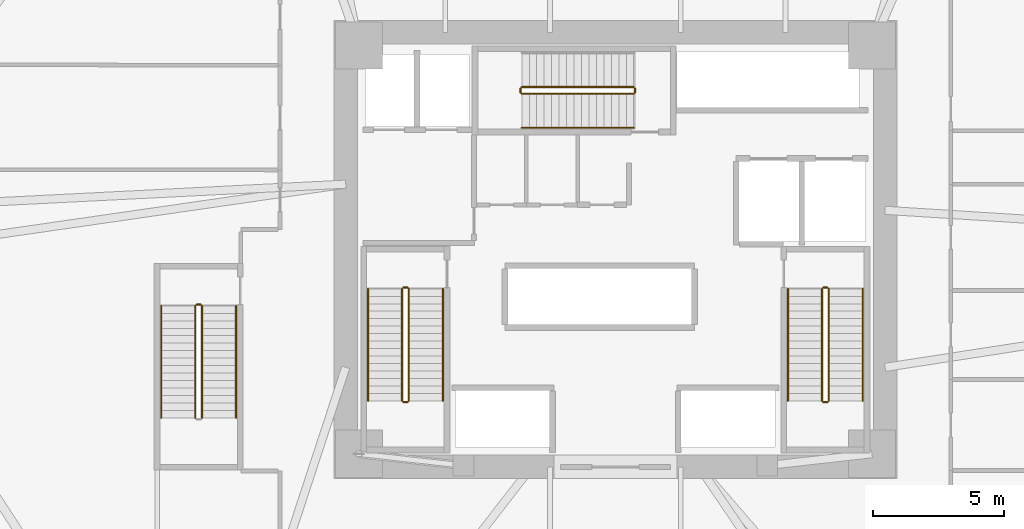
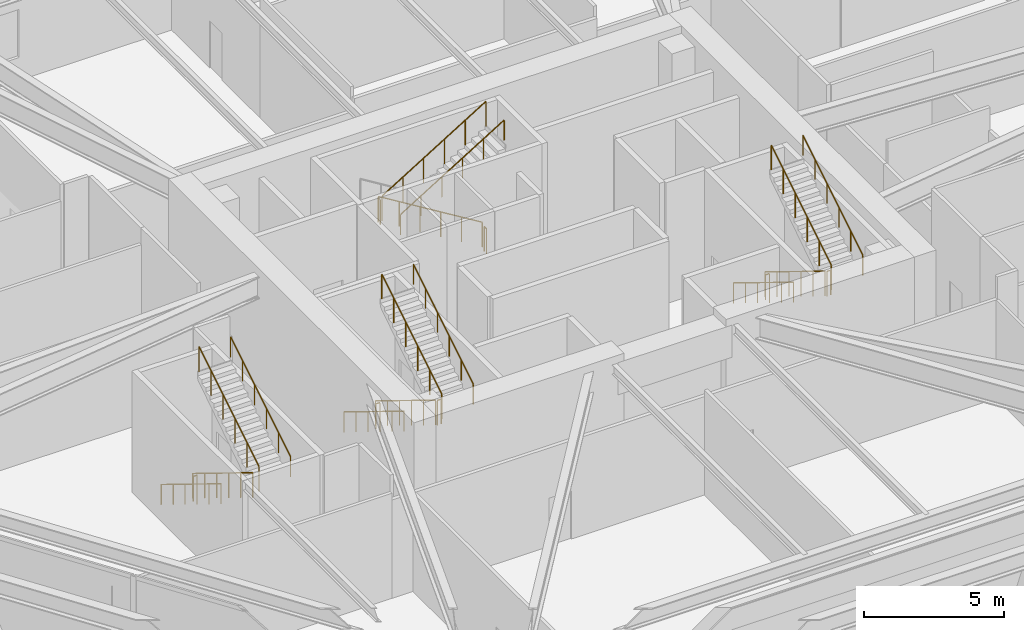
# One storey, part 22 of 23: 22 railings.
"""IFC4 building model written with IfcOpenShell, lengths in metres."""

from ifc_helpers import new_model, si_unit, direction, frame, origin, origin_2d, place, context, subcontext, project, spatial, circle, extrude, material, type_object, element, save


model = new_model("IFC4")

# Units and contexts
model_context = context("Model", 3, precision=1e-05, world=origin(), true_north=direction((0.0, 1.0)))
body_context = subcontext(model_context, "Body", "Model", "MODEL_VIEW")
ifc_project = project(units=[si_unit("LENGTHUNIT", "METRE"), si_unit("AREAUNIT", "SQUARE_METRE"), si_unit("VOLUMEUNIT", "CUBIC_METRE"), si_unit("PLANEANGLEUNIT", "RADIAN"), si_unit("MASSUNIT", "GRAM", prefix="KILO")], contexts=[model_context])

# Site, building, storey
site_placement = place(None, origin())
site = spatial("IfcSite", under=ifc_project, at=site_placement, CompositionType="ELEMENT")
building_placement = place(site_placement, origin())
building = spatial("IfcBuilding", under=site, at=building_placement, Name="Durnholm Broadcast Tower", CompositionType="ELEMENT")
storey_placement = place(building_placement, frame((0.0, 0.0, 21.199951171875)))
storey = spatial("IfcBuildingStorey", under=building, at=storey_placement, Name="L04", CompositionType="ELEMENT", Elevation=21.199951171875)

# Railings
ifc_material_1 = material(Name="Painted Tubular Steel Stair Guardrail", Category="steel")
railing_type_1 = type_object("IfcRailingType", Name="RAIL-ST-GRD", PredefinedType="GUARDRAIL", material=ifc_material_1)
railing_1_placement = place(storey_placement, frame((-8.14990234375, -1.5, 0.175048828125)))
element("IfcRailing", 1, at=railing_1_placement, inside=storey, type_object=railing_type_1, Name="L04 ST-1 stair guard 1", PredefinedType="GUARDRAIL", context=body_context, shape_type="SweptSolid", body=[
    extrude(circle(Radius=0.02392578125, at=origin_2d()), frame((0.0, 0.0, 1.076171875), z_axis=(0.0, -0.852165895541, 0.523271713813), x_axis=(1.0, 0.0, 0.0)), (0.0, 0.0, 1.0), 5.0166015625),
    extrude(circle(Radius=0.02099609375, at=origin_2d()), origin(), (0.0, 0.0, 1.0), 1.052001953125),
    extrude(circle(Radius=0.02099609375, at=origin_2d()), frame((0.0, -0.85498046875, 0.52490234375)), (0.0, 0.0, 1.0), 1.052001953125),
    extrude(circle(Radius=0.02099609375, at=origin_2d()), frame((0.0, -1.7099609375, 1.050048828125)), (0.0, 0.0, 1.0), 1.052001953125),
    extrude(circle(Radius=0.02099609375, at=origin_2d()), frame((0.0, -2.56494140625, 1.574951171875)), (0.0, 0.0, 1.0), 1.052001953125),
    extrude(circle(Radius=0.02099609375, at=origin_2d()), frame((0.0, -3.419921875, 2.10009765625)), (0.0, 0.0, 1.0), 1.052001953125),
    extrude(circle(Radius=0.02099609375, at=origin_2d()), frame((0.0, -4.27490234375, 2.625)), (0.0, 0.0, 1.0), 1.052001953125),
])
railing_2_placement = place(storey_placement, frame((-8.10009765625, -5.824951171875, 2.800048828125)))
element("IfcRailing", 2, at=railing_2_placement, inside=storey, type_object=railing_type_1, Name="L04 ST-1 stair guard 2", PredefinedType="GUARDRAIL", context=body_context, shape_type="SweptSolid", body=[
    extrude(circle(Radius=0.02392578125, at=origin_2d()), frame((0.0, 0.0, 1.076171875), z_axis=(1.0, 0.0, 0.0), x_axis=(0.0, 1.0, 0.0)), (0.0, 0.0, 1.0), 0.16015625),
    extrude(circle(Radius=0.02099609375, at=origin_2d()), origin(), (0.0, 0.0, 1.0), 1.052001953125),
    extrude(circle(Radius=0.02099609375, at=origin_2d()), frame((0.16015625, 0.0, 0.0)), (0.0, 0.0, 1.0), 1.052001953125),
])
railing_3_placement = place(storey_placement, frame((-7.889892578125, -5.77490234375, 2.97509765625)))
element("IfcRailing", 3, at=railing_3_placement, inside=storey, type_object=railing_type_1, Name="L04 ST-1 stair guard 3", PredefinedType="GUARDRAIL", context=body_context, shape_type="SweptSolid", body=[
    extrude(circle(Radius=0.02392578125, at=origin_2d()), frame((0.0, 0.0, 1.076171875), z_axis=(0.0, 0.852165895541, 0.523271713813), x_axis=(-1.0, 0.0, 0.0)), (0.0, 0.0, 1.0), 5.0166015625),
    extrude(circle(Radius=0.02099609375, at=origin_2d()), origin(), (0.0, 0.0, 1.0), 1.052001953125),
    extrude(circle(Radius=0.02099609375, at=origin_2d()), frame((0.0, 0.85498046875, 0.52490234375)), (0.0, 0.0, 1.0), 1.052001953125),
    extrude(circle(Radius=0.02099609375, at=origin_2d()), frame((0.0, 1.7099609375, 1.050048828125)), (0.0, 0.0, 1.0), 1.052001953125),
    extrude(circle(Radius=0.02099609375, at=origin_2d()), frame((0.0, 2.56494140625, 1.574951171875)), (0.0, 0.0, 1.0), 1.052001953125),
    extrude(circle(Radius=0.02099609375, at=origin_2d()), frame((0.0, 3.419921875, 2.10009765625)), (0.0, 0.0, 1.0), 1.052001953125),
    extrude(circle(Radius=0.02099609375, at=origin_2d()), frame((0.0, 4.27490234375, 2.625)), (0.0, 0.0, 1.0), 1.052001953125),
])
railing_4_placement = place(storey_placement, frame((-8.10009765625, -1.449951171875, 0.0)))
element("IfcRailing", 4, at=railing_4_placement, inside=storey, type_object=railing_type_1, Name="L04 ST-1 stair guard 4", PredefinedType="GUARDRAIL", context=body_context, shape_type="SweptSolid", body=[
    extrude(circle(Radius=0.02392578125, at=origin_2d()), frame((0.0, 0.0, 1.076171875), z_axis=(1.0, 0.0, 0.0), x_axis=(0.0, 1.0, 0.0)), (0.0, 0.0, 1.0), 0.16015625),
    extrude(circle(Radius=0.02099609375, at=origin_2d()), origin(), (0.0, 0.0, 1.0), 1.052001953125),
    extrude(circle(Radius=0.02099609375, at=origin_2d()), frame((0.16015625, 0.0, 0.0)), (0.0, 0.0, 1.0), 1.052001953125),
])
railing_5_placement = place(storey_placement, frame((7.889892578125, -1.5, 0.175048828125)))
element("IfcRailing", 5, at=railing_5_placement, inside=storey, type_object=railing_type_1, Name="L04 ST-2 stair guard 1", PredefinedType="GUARDRAIL", context=body_context, shape_type="SweptSolid", body=[
    extrude(circle(Radius=0.02392578125, at=origin_2d()), frame((0.0, 0.0, 1.076171875), z_axis=(0.0, -0.852165895541, 0.523271713813), x_axis=(1.0, 0.0, 0.0)), (0.0, 0.0, 1.0), 5.0166015625),
    extrude(circle(Radius=0.02099609375, at=origin_2d()), origin(), (0.0, 0.0, 1.0), 1.052001953125),
    extrude(circle(Radius=0.02099609375, at=origin_2d()), frame((0.0, -0.85498046875, 0.52490234375)), (0.0, 0.0, 1.0), 1.052001953125),
    extrude(circle(Radius=0.02099609375, at=origin_2d()), frame((0.0, -1.7099609375, 1.050048828125)), (0.0, 0.0, 1.0), 1.052001953125),
    extrude(circle(Radius=0.02099609375, at=origin_2d()), frame((0.0, -2.56494140625, 1.574951171875)), (0.0, 0.0, 1.0), 1.052001953125),
    extrude(circle(Radius=0.02099609375, at=origin_2d()), frame((0.0, -3.419921875, 2.10009765625)), (0.0, 0.0, 1.0), 1.052001953125),
    extrude(circle(Radius=0.02099609375, at=origin_2d()), frame((0.0, -4.27490234375, 2.625)), (0.0, 0.0, 1.0), 1.052001953125),
])
railing_6_placement = place(storey_placement, frame((7.93994140625, -5.824951171875, 2.800048828125)))
element("IfcRailing", 6, at=railing_6_placement, inside=storey, type_object=railing_type_1, Name="L04 ST-2 stair guard 2", PredefinedType="GUARDRAIL", context=body_context, shape_type="SweptSolid", body=[
    extrude(circle(Radius=0.02392578125, at=origin_2d()), frame((0.0, 0.0, 1.076171875), z_axis=(1.0, 0.0, 0.0), x_axis=(0.0, 1.0, 0.0)), (0.0, 0.0, 1.0), 0.16015625),
    extrude(circle(Radius=0.02099609375, at=origin_2d()), origin(), (0.0, 0.0, 1.0), 1.052001953125),
    extrude(circle(Radius=0.02099609375, at=origin_2d()), frame((0.16015625, 0.0, 0.0)), (0.0, 0.0, 1.0), 1.052001953125),
])
railing_7_placement = place(storey_placement, frame((8.14990234375, -5.77490234375, 2.97509765625)))
element("IfcRailing", 7, at=railing_7_placement, inside=storey, type_object=railing_type_1, Name="L04 ST-2 stair guard 3", PredefinedType="GUARDRAIL", context=body_context, shape_type="SweptSolid", body=[
    extrude(circle(Radius=0.02392578125, at=origin_2d()), frame((0.0, 0.0, 1.076171875), z_axis=(0.0, 0.852165895541, 0.523271713813), x_axis=(-1.0, 0.0, 0.0)), (0.0, 0.0, 1.0), 5.0166015625),
    extrude(circle(Radius=0.02099609375, at=origin_2d()), origin(), (0.0, 0.0, 1.0), 1.052001953125),
    extrude(circle(Radius=0.02099609375, at=origin_2d()), frame((0.0, 0.85498046875, 0.52490234375)), (0.0, 0.0, 1.0), 1.052001953125),
    extrude(circle(Radius=0.02099609375, at=origin_2d()), frame((0.0, 1.7099609375, 1.050048828125)), (0.0, 0.0, 1.0), 1.052001953125),
    extrude(circle(Radius=0.02099609375, at=origin_2d()), frame((0.0, 2.56494140625, 1.574951171875)), (0.0, 0.0, 1.0), 1.052001953125),
    extrude(circle(Radius=0.02099609375, at=origin_2d()), frame((0.0, 3.419921875, 2.10009765625)), (0.0, 0.0, 1.0), 1.052001953125),
    extrude(circle(Radius=0.02099609375, at=origin_2d()), frame((0.0, 4.27490234375, 2.625)), (0.0, 0.0, 1.0), 1.052001953125),
])
railing_8_placement = place(storey_placement, frame((7.93994140625, -1.449951171875, 0.0)))
element("IfcRailing", 8, at=railing_8_placement, inside=storey, type_object=railing_type_1, Name="L04 ST-2 stair guard 4", PredefinedType="GUARDRAIL", context=body_context, shape_type="SweptSolid", body=[
    extrude(circle(Radius=0.02392578125, at=origin_2d()), frame((0.0, 0.0, 1.076171875), z_axis=(1.0, 0.0, 0.0), x_axis=(0.0, 1.0, 0.0)), (0.0, 0.0, 1.0), 0.16015625),
    extrude(circle(Radius=0.02099609375, at=origin_2d()), origin(), (0.0, 0.0, 1.0), 1.052001953125),
    extrude(circle(Radius=0.02099609375, at=origin_2d()), frame((0.16015625, 0.0, 0.0)), (0.0, 0.0, 1.0), 1.052001953125),
])
railing_9_placement = place(storey_placement, frame((0.699951171875, 6.2099609375, 0.175048828125)))
element("IfcRailing", 9, at=railing_9_placement, inside=storey, type_object=railing_type_1, Name="L04 ST-3 stair guard 1", PredefinedType="GUARDRAIL", context=body_context, shape_type="SweptSolid", body=[
    extrude(circle(Radius=0.02392578125, at=origin_2d()), frame((0.0, 0.0, 1.076171875), z_axis=(-0.852165895541, 0.0, 0.523271713813), x_axis=(0.0, -1.0, 0.0)), (0.0, 0.0, 1.0), 5.0166015625),
    extrude(circle(Radius=0.02099609375, at=origin_2d()), origin(), (0.0, 0.0, 1.0), 1.052001953125),
    extrude(circle(Radius=0.02099609375, at=origin_2d()), frame((-0.85498046875, 0.0, 0.52490234375)), (0.0, 0.0, 1.0), 1.052001953125),
    extrude(circle(Radius=0.02099609375, at=origin_2d()), frame((-1.7099609375, 0.0, 1.050048828125)), (0.0, 0.0, 1.0), 1.052001953125),
    extrude(circle(Radius=0.02099609375, at=origin_2d()), frame((-2.56494140625, 0.0, 1.574951171875)), (0.0, 0.0, 1.0), 1.052001953125),
    extrude(circle(Radius=0.02099609375, at=origin_2d()), frame((-3.419921875, 0.0, 2.10009765625)), (0.0, 0.0, 1.0), 1.052001953125),
    extrude(circle(Radius=0.02099609375, at=origin_2d()), frame((-4.27490234375, 0.0, 2.625)), (0.0, 0.0, 1.0), 1.052001953125),
])
railing_10_placement = place(storey_placement, frame((-3.625, 6.159912109375, 2.800048828125)))
element("IfcRailing", 10, at=railing_10_placement, inside=storey, type_object=railing_type_1, Name="L04 ST-3 stair guard 2", PredefinedType="GUARDRAIL", context=body_context, shape_type="SweptSolid", body=[
    extrude(circle(Radius=0.02392578125, at=origin_2d()), frame((0.0, 0.0, 1.076171875), z_axis=(0.0, -1.0, 0.0), x_axis=(1.0, 0.0, 0.0)), (0.0, 0.0, 1.0), 0.159912109375),
    extrude(circle(Radius=0.02099609375, at=origin_2d()), origin(), (0.0, 0.0, 1.0), 1.052001953125),
    extrude(circle(Radius=0.02099609375, at=origin_2d()), frame((0.0, -0.159912109375, 0.0)), (0.0, 0.0, 1.0), 1.052001953125),
])
railing_11_placement = place(storey_placement, frame((-3.574951171875, 5.949951171875, 2.97509765625)))
element("IfcRailing", 11, at=railing_11_placement, inside=storey, type_object=railing_type_1, Name="L04 ST-3 stair guard 3", PredefinedType="GUARDRAIL", context=body_context, shape_type="SweptSolid", body=[
    extrude(circle(Radius=0.02392578125, at=origin_2d()), frame((0.0, 0.0, 1.076171875), z_axis=(0.852165895541, 0.0, 0.523271713813), x_axis=(0.0, 1.0, 0.0)), (0.0, 0.0, 1.0), 5.0166015625),
    extrude(circle(Radius=0.02099609375, at=origin_2d()), origin(), (0.0, 0.0, 1.0), 1.052001953125),
    extrude(circle(Radius=0.02099609375, at=origin_2d()), frame((0.85498046875, 0.0, 0.52490234375)), (0.0, 0.0, 1.0), 1.052001953125),
    extrude(circle(Radius=0.02099609375, at=origin_2d()), frame((1.7099609375, 0.0, 1.050048828125)), (0.0, 0.0, 1.0), 1.052001953125),
    extrude(circle(Radius=0.02099609375, at=origin_2d()), frame((2.56494140625, 0.0, 1.574951171875)), (0.0, 0.0, 1.0), 1.052001953125),
    extrude(circle(Radius=0.02099609375, at=origin_2d()), frame((3.419921875, 0.0, 2.10009765625)), (0.0, 0.0, 1.0), 1.052001953125),
    extrude(circle(Radius=0.02099609375, at=origin_2d()), frame((4.27490234375, 0.0, 2.625)), (0.0, 0.0, 1.0), 1.052001953125),
])
railing_12_placement = place(storey_placement, frame((0.75, 6.159912109375, 0.0)))
element("IfcRailing", 12, at=railing_12_placement, inside=storey, type_object=railing_type_1, Name="L04 ST-3 stair guard 4", PredefinedType="GUARDRAIL", context=body_context, shape_type="SweptSolid", body=[
    extrude(circle(Radius=0.02392578125, at=origin_2d()), frame((0.0, 0.0, 1.076171875), z_axis=(0.0, -1.0, 0.0), x_axis=(1.0, 0.0, 0.0)), (0.0, 0.0, 1.0), 0.159912109375),
    extrude(circle(Radius=0.02099609375, at=origin_2d()), origin(), (0.0, 0.0, 1.0), 1.052001953125),
    extrude(circle(Radius=0.02099609375, at=origin_2d()), frame((0.0, -0.159912109375, 0.0)), (0.0, 0.0, 1.0), 1.052001953125),
])
railing_13_placement = place(storey_placement, frame((-16.050048828125, -2.14990234375, 0.175048828125)))
element("IfcRailing", 13, at=railing_13_placement, inside=storey, type_object=railing_type_1, Name="L04 ST-4 stair guard 1", PredefinedType="GUARDRAIL", context=body_context, shape_type="SweptSolid", body=[
    extrude(circle(Radius=0.02392578125, at=origin_2d()), frame((0.0, 0.0, 1.076171875), z_axis=(0.0, -0.852179220489, 0.52325001306), x_axis=(1.0, 0.0, 0.0)), (0.0, 0.0, 1.0), 5.0166015625),
    extrude(circle(Radius=0.02099609375, at=origin_2d()), origin(), (0.0, 0.0, 1.0), 1.052001953125),
    extrude(circle(Radius=0.02099609375, at=origin_2d()), frame((0.0, -0.85498046875, 0.52490234375)), (0.0, 0.0, 1.0), 1.052001953125),
    extrude(circle(Radius=0.02099609375, at=origin_2d()), frame((0.0, -1.7099609375, 1.050048828125)), (0.0, 0.0, 1.0), 1.052001953125),
    extrude(circle(Radius=0.02099609375, at=origin_2d()), frame((0.0, -2.565185546875, 1.574951171875)), (0.0, 0.0, 1.0), 1.052001953125),
    extrude(circle(Radius=0.02099609375, at=origin_2d()), frame((0.0, -3.420166015625, 2.10009765625)), (0.0, 0.0, 1.0), 1.052001953125),
    extrude(circle(Radius=0.02099609375, at=origin_2d()), frame((0.0, -4.275146484375, 2.625)), (0.0, 0.0, 1.0), 1.052001953125),
])
railing_14_placement = place(storey_placement, frame((-15.7900390625, -6.425048828125, 2.97509765625)))
element("IfcRailing", 14, at=railing_14_placement, inside=storey, type_object=railing_type_1, Name="L04 ST-4 stair guard 3", PredefinedType="GUARDRAIL", context=body_context, shape_type="SweptSolid", body=[
    extrude(circle(Radius=0.02392578125, at=origin_2d()), frame((0.0, 0.0, 1.076171875), z_axis=(0.0, 0.852179220489, 0.52325001306), x_axis=(-1.0, 0.0, 0.0)), (0.0, 0.0, 1.0), 5.0166015625),
    extrude(circle(Radius=0.02099609375, at=origin_2d()), origin(), (0.0, 0.0, 1.0), 1.052001953125),
    extrude(circle(Radius=0.02099609375, at=origin_2d()), frame((0.0, 0.85498046875, 0.52490234375)), (0.0, 0.0, 1.0), 1.052001953125),
    extrude(circle(Radius=0.02099609375, at=origin_2d()), frame((0.0, 1.7099609375, 1.050048828125)), (0.0, 0.0, 1.0), 1.052001953125),
    extrude(circle(Radius=0.02099609375, at=origin_2d()), frame((0.0, 2.565185546875, 1.574951171875)), (0.0, 0.0, 1.0), 1.052001953125),
    extrude(circle(Radius=0.02099609375, at=origin_2d()), frame((0.0, 3.420166015625, 2.10009765625)), (0.0, 0.0, 1.0), 1.052001953125),
    extrude(circle(Radius=0.02099609375, at=origin_2d()), frame((0.0, 4.275146484375, 2.625)), (0.0, 0.0, 1.0), 1.052001953125),
])
railing_15_placement = place(storey_placement, frame((-16.0, -2.10009765625, 0.0)))
element("IfcRailing", 15, at=railing_15_placement, inside=storey, type_object=railing_type_1, Name="L04 ST-4 stair guard 4", PredefinedType="GUARDRAIL", context=body_context, shape_type="SweptSolid", body=[
    extrude(circle(Radius=0.02392578125, at=origin_2d()), frame((0.0, 0.0, 1.076171875), z_axis=(1.0, 0.0, 0.0), x_axis=(0.0, 1.0, 0.0)), (0.0, 0.0, 1.0), 0.159912109375),
    extrude(circle(Radius=0.02099609375, at=origin_2d()), origin(), (0.0, 0.0, 1.0), 1.052001953125),
    extrude(circle(Radius=0.02099609375, at=origin_2d()), frame((0.159912109375, 0.0, 0.0)), (0.0, 0.0, 1.0), 1.052001953125),
])
ifc_material_2 = material(Name="Brushed Stainless Steel Handrail", Category="steel")
railing_type_2 = type_object("IfcRailingType", Name="RAIL-ST-HND", PredefinedType="HANDRAIL", material=ifc_material_2)
railing_16_placement = place(storey_placement, frame((-9.449951171875, -1.5, 0.35009765625)))
element("IfcRailing", 16, at=railing_16_placement, inside=storey, type_object=railing_type_2, Name="L04 ST-1 stair handrail 1", PredefinedType="HANDRAIL", context=body_context, shape_type="SweptSolid", body=[
    extrude(circle(Radius=0.02392578125, at=origin_2d()), frame((0.0, 0.0, 0.8759765625), z_axis=(0.0, -0.852165895541, 0.523271713813), x_axis=(1.0, 0.0, 0.0)), (0.0, 0.0, 1.0), 5.0166015625),
    extrude(circle(Radius=0.02099609375, at=origin_2d()), origin(), (0.0, 0.0, 1.0), 0.851806640625),
    extrude(circle(Radius=0.02099609375, at=origin_2d()), frame((0.0, -0.85498046875, 0.52490234375)), (0.0, 0.0, 1.0), 0.851806640625),
    extrude(circle(Radius=0.02099609375, at=origin_2d()), frame((0.0, -1.7099609375, 1.050048828125)), (0.0, 0.0, 1.0), 0.851806640625),
    extrude(circle(Radius=0.02099609375, at=origin_2d()), frame((0.0, -2.56494140625, 1.574951171875)), (0.0, 0.0, 1.0), 0.851806640625),
    extrude(circle(Radius=0.02099609375, at=origin_2d()), frame((0.0, -3.419921875, 2.10009765625)), (0.0, 0.0, 1.0), 0.851806640625),
    extrude(circle(Radius=0.02099609375, at=origin_2d()), frame((0.0, -4.27490234375, 2.625)), (0.0, 0.0, 1.0), 0.851806640625),
])
railing_17_placement = place(storey_placement, frame((-6.590087890625, -5.77490234375, 3.150146484375)))
element("IfcRailing", 17, at=railing_17_placement, inside=storey, type_object=railing_type_2, Name="L04 ST-1 stair handrail 2", PredefinedType="HANDRAIL", context=body_context, shape_type="SweptSolid", body=[
    extrude(circle(Radius=0.02392578125, at=origin_2d()), frame((0.0, 0.0, 0.8759765625), z_axis=(0.0, 0.852165895541, 0.523271713813), x_axis=(-1.0, 0.0, 0.0)), (0.0, 0.0, 1.0), 5.0166015625),
    extrude(circle(Radius=0.02099609375, at=origin_2d()), origin(), (0.0, 0.0, 1.0), 0.851806640625),
    extrude(circle(Radius=0.02099609375, at=origin_2d()), frame((0.0, 0.85498046875, 0.52490234375)), (0.0, 0.0, 1.0), 0.851806640625),
    extrude(circle(Radius=0.02099609375, at=origin_2d()), frame((0.0, 1.7099609375, 1.050048828125)), (0.0, 0.0, 1.0), 0.851806640625),
    extrude(circle(Radius=0.02099609375, at=origin_2d()), frame((0.0, 2.56494140625, 1.574951171875)), (0.0, 0.0, 1.0), 0.851806640625),
    extrude(circle(Radius=0.02099609375, at=origin_2d()), frame((0.0, 3.419921875, 2.10009765625)), (0.0, 0.0, 1.0), 0.851806640625),
    extrude(circle(Radius=0.02099609375, at=origin_2d()), frame((0.0, 4.27490234375, 2.625)), (0.0, 0.0, 1.0), 0.851806640625),
])
railing_18_placement = place(storey_placement, frame((6.590087890625, -1.5, 0.35009765625)))
element("IfcRailing", 18, at=railing_18_placement, inside=storey, type_object=railing_type_2, Name="L04 ST-2 stair handrail 1", PredefinedType="HANDRAIL", context=body_context, shape_type="SweptSolid", body=[
    extrude(circle(Radius=0.02392578125, at=origin_2d()), frame((0.0, 0.0, 0.8759765625), z_axis=(0.0, -0.852165895541, 0.523271713813), x_axis=(1.0, 0.0, 0.0)), (0.0, 0.0, 1.0), 5.0166015625),
    extrude(circle(Radius=0.02099609375, at=origin_2d()), origin(), (0.0, 0.0, 1.0), 0.851806640625),
    extrude(circle(Radius=0.02099609375, at=origin_2d()), frame((0.0, -0.85498046875, 0.52490234375)), (0.0, 0.0, 1.0), 0.851806640625),
    extrude(circle(Radius=0.02099609375, at=origin_2d()), frame((0.0, -1.7099609375, 1.050048828125)), (0.0, 0.0, 1.0), 0.851806640625),
    extrude(circle(Radius=0.02099609375, at=origin_2d()), frame((0.0, -2.56494140625, 1.574951171875)), (0.0, 0.0, 1.0), 0.851806640625),
    extrude(circle(Radius=0.02099609375, at=origin_2d()), frame((0.0, -3.419921875, 2.10009765625)), (0.0, 0.0, 1.0), 0.851806640625),
    extrude(circle(Radius=0.02099609375, at=origin_2d()), frame((0.0, -4.27490234375, 2.625)), (0.0, 0.0, 1.0), 0.851806640625),
])
railing_19_placement = place(storey_placement, frame((9.449951171875, -5.77490234375, 3.150146484375)))
element("IfcRailing", 19, at=railing_19_placement, inside=storey, type_object=railing_type_2, Name="L04 ST-2 stair handrail 2", PredefinedType="HANDRAIL", context=body_context, shape_type="SweptSolid", body=[
    extrude(circle(Radius=0.02392578125, at=origin_2d()), frame((0.0, 0.0, 0.8759765625), z_axis=(0.0, 0.852165895541, 0.523271713813), x_axis=(-1.0, 0.0, 0.0)), (0.0, 0.0, 1.0), 5.0166015625),
    extrude(circle(Radius=0.02099609375, at=origin_2d()), origin(), (0.0, 0.0, 1.0), 0.851806640625),
    extrude(circle(Radius=0.02099609375, at=origin_2d()), frame((0.0, 0.85498046875, 0.52490234375)), (0.0, 0.0, 1.0), 0.851806640625),
    extrude(circle(Radius=0.02099609375, at=origin_2d()), frame((0.0, 1.7099609375, 1.050048828125)), (0.0, 0.0, 1.0), 0.851806640625),
    extrude(circle(Radius=0.02099609375, at=origin_2d()), frame((0.0, 2.56494140625, 1.574951171875)), (0.0, 0.0, 1.0), 0.851806640625),
    extrude(circle(Radius=0.02099609375, at=origin_2d()), frame((0.0, 3.419921875, 2.10009765625)), (0.0, 0.0, 1.0), 0.851806640625),
    extrude(circle(Radius=0.02099609375, at=origin_2d()), frame((0.0, 4.27490234375, 2.625)), (0.0, 0.0, 1.0), 0.851806640625),
])
railing_20_placement = place(storey_placement, frame((-3.574951171875, 4.64990234375, 3.150146484375)))
element("IfcRailing", 20, at=railing_20_placement, inside=storey, type_object=railing_type_2, Name="L04 ST-3 stair handrail 2", PredefinedType="HANDRAIL", context=body_context, shape_type="SweptSolid", body=[
    extrude(circle(Radius=0.02392578125, at=origin_2d()), frame((0.0, 0.0, 0.8759765625), z_axis=(0.852165895541, 0.0, 0.523271713813), x_axis=(0.0, 1.0, 0.0)), (0.0, 0.0, 1.0), 5.0166015625),
    extrude(circle(Radius=0.02099609375, at=origin_2d()), origin(), (0.0, 0.0, 1.0), 0.851806640625),
    extrude(circle(Radius=0.02099609375, at=origin_2d()), frame((0.85498046875, 0.0, 0.52490234375)), (0.0, 0.0, 1.0), 0.851806640625),
    extrude(circle(Radius=0.02099609375, at=origin_2d()), frame((1.7099609375, 0.0, 1.050048828125)), (0.0, 0.0, 1.0), 0.851806640625),
    extrude(circle(Radius=0.02099609375, at=origin_2d()), frame((2.56494140625, 0.0, 1.574951171875)), (0.0, 0.0, 1.0), 0.851806640625),
    extrude(circle(Radius=0.02099609375, at=origin_2d()), frame((3.419921875, 0.0, 2.10009765625)), (0.0, 0.0, 1.0), 0.851806640625),
    extrude(circle(Radius=0.02099609375, at=origin_2d()), frame((4.27490234375, 0.0, 2.625)), (0.0, 0.0, 1.0), 0.851806640625),
])
railing_21_placement = place(storey_placement, frame((-17.35009765625, -2.14990234375, 0.35009765625)))
element("IfcRailing", 21, at=railing_21_placement, inside=storey, type_object=railing_type_2, Name="L04 ST-4 stair handrail 1", PredefinedType="HANDRAIL", context=body_context, shape_type="SweptSolid", body=[
    extrude(circle(Radius=0.02392578125, at=origin_2d()), frame((0.0, 0.0, 0.8759765625), z_axis=(0.0, -0.852179220489, 0.52325001306), x_axis=(1.0, 0.0, 0.0)), (0.0, 0.0, 1.0), 5.0166015625),
    extrude(circle(Radius=0.02099609375, at=origin_2d()), origin(), (0.0, 0.0, 1.0), 0.851806640625),
    extrude(circle(Radius=0.02099609375, at=origin_2d()), frame((0.0, -0.85498046875, 0.52490234375)), (0.0, 0.0, 1.0), 0.851806640625),
    extrude(circle(Radius=0.02099609375, at=origin_2d()), frame((0.0, -1.7099609375, 1.050048828125)), (0.0, 0.0, 1.0), 0.851806640625),
    extrude(circle(Radius=0.02099609375, at=origin_2d()), frame((0.0, -2.565185546875, 1.574951171875)), (0.0, 0.0, 1.0), 0.851806640625),
    extrude(circle(Radius=0.02099609375, at=origin_2d()), frame((0.0, -3.420166015625, 2.10009765625)), (0.0, 0.0, 1.0), 0.851806640625),
    extrude(circle(Radius=0.02099609375, at=origin_2d()), frame((0.0, -4.275146484375, 2.625)), (0.0, 0.0, 1.0), 0.851806640625),
])
railing_22_placement = place(storey_placement, frame((-14.489990234375, -6.425048828125, 3.150146484375)))
element("IfcRailing", 22, at=railing_22_placement, inside=storey, type_object=railing_type_2, Name="L04 ST-4 stair handrail 2", PredefinedType="HANDRAIL", context=body_context, shape_type="SweptSolid", body=[
    extrude(circle(Radius=0.02392578125, at=origin_2d()), frame((0.0, 0.0, 0.8759765625), z_axis=(0.0, 0.852179220489, 0.52325001306), x_axis=(-1.0, 0.0, 0.0)), (0.0, 0.0, 1.0), 5.0166015625),
    extrude(circle(Radius=0.02099609375, at=origin_2d()), origin(), (0.0, 0.0, 1.0), 0.851806640625),
    extrude(circle(Radius=0.02099609375, at=origin_2d()), frame((0.0, 0.85498046875, 0.52490234375)), (0.0, 0.0, 1.0), 0.851806640625),
    extrude(circle(Radius=0.02099609375, at=origin_2d()), frame((0.0, 1.7099609375, 1.050048828125)), (0.0, 0.0, 1.0), 0.851806640625),
    extrude(circle(Radius=0.02099609375, at=origin_2d()), frame((0.0, 2.565185546875, 1.574951171875)), (0.0, 0.0, 1.0), 0.851806640625),
    extrude(circle(Radius=0.02099609375, at=origin_2d()), frame((0.0, 3.420166015625, 2.10009765625)), (0.0, 0.0, 1.0), 0.851806640625),
    extrude(circle(Radius=0.02099609375, at=origin_2d()), frame((0.0, 4.275146484375, 2.625)), (0.0, 0.0, 1.0), 0.851806640625),
])

save(model, "model.ifc")
